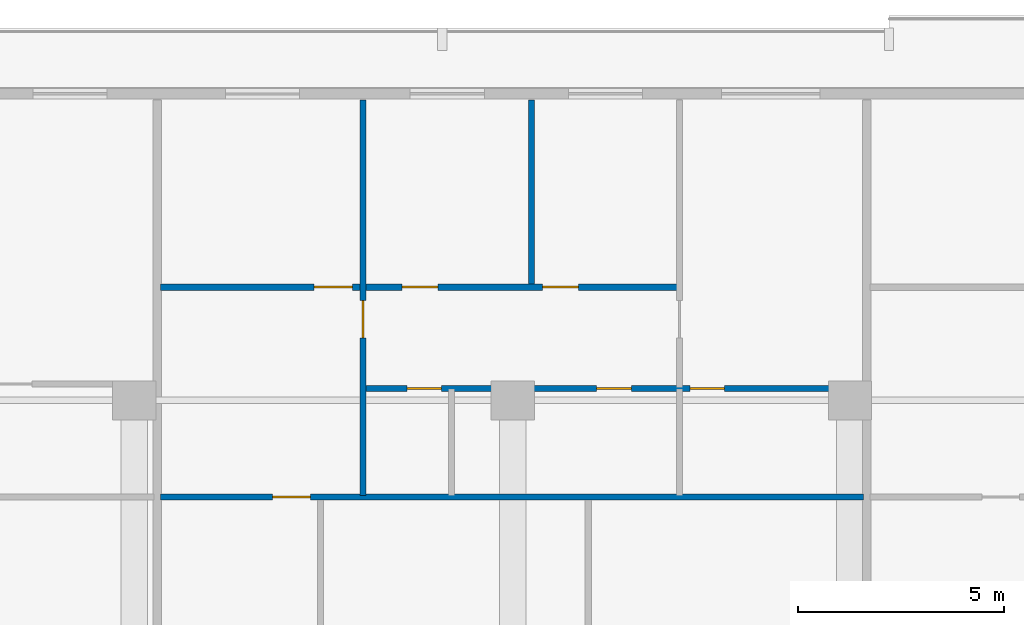
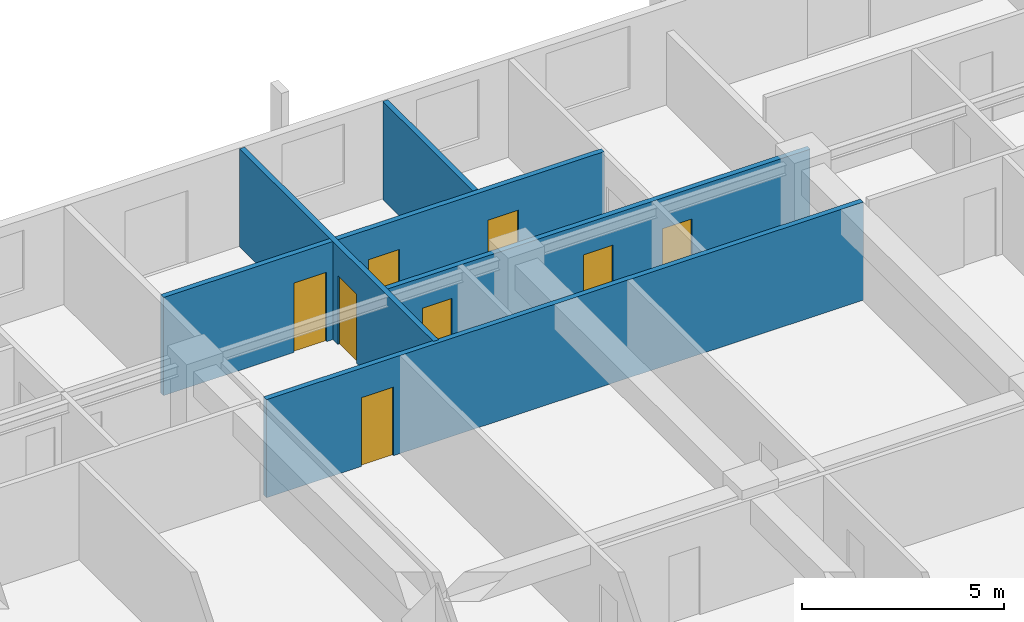
# One storey, part 15 of 23: 8 doors, 5 walls, 8 openings.
"""IFC4 building model written with IfcOpenShell, lengths in metres."""

from ifc_helpers import new_model, si_unit, direction, frame, frame_2d, origin, place, context, subcontext, project, spatial, rectangle, extrude, material, layer, layer_set, type_object, element, fill, save


model = new_model("IFC4")

# Units and contexts
model_context = context("Model", 3, precision=1e-05, world=origin(), true_north=direction((0.0, 1.0)))
body_context = subcontext(model_context, "Body", "Model", "MODEL_VIEW")
ifc_project = project(units=[si_unit("LENGTHUNIT", "METRE"), si_unit("AREAUNIT", "SQUARE_METRE"), si_unit("VOLUMEUNIT", "CUBIC_METRE"), si_unit("PLANEANGLEUNIT", "RADIAN"), si_unit("MASSUNIT", "GRAM", prefix="KILO")], contexts=[model_context])

# Site, building, storey
site_placement = place(None, origin())
site = spatial("IfcSite", under=ifc_project, at=site_placement, CompositionType="ELEMENT")
building_placement = place(site_placement, origin())
building = spatial("IfcBuilding", under=site, at=building_placement, Name="Korimba Cascade Residences", CompositionType="ELEMENT")
storey_placement = place(building_placement, frame((0.0, 0.0, 46.75)))
storey = spatial("IfcBuildingStorey", under=building, at=storey_placement, Name="L12", CompositionType="ELEMENT", Elevation=46.75)

# Wall
ifc_material_1 = material(Name="Insulated Acoustic Stud Partition", Category="gypsum")
ifc_layer = layer(ifc_material_1, 0.14990234375)
ifc_layer_set = layer_set([ifc_layer], Name="Insulated Acoustic Stud Partition")
wall_type = type_object("IfcWallType", Name="WAL-PART-150", PredefinedType="PARTITIONING", material=ifc_layer_set)
wall_1_placement = place(storey_placement, frame((112.555908203125, 94.030029296875, 0.0), z_axis=(0.0, 0.0, 1.0), x_axis=(0.0, 1.0, 0.0)))
element("IfcWall", 1, at=wall_1_placement, inside=storey, type_object=wall_type, Name="L12 Partition Wall WAL-L12-T1-U04-VSTD", PredefinedType="PARTITIONING", context=body_context, shape_type="SweptSolid", body=[
    extrude(rectangle(XDim=4.469970703125, YDim=0.14990234375, at=frame_2d((2.23486328125, 0.0))), origin(), (0.0, 0.0, 1.0), 2.969970703125),
])

# Wall, opening, door
wall_2_placement = place(storey_placement, frame((108.45751953125, 88.889892578125, 0.0), z_axis=(0.0, 0.0, 1.0), x_axis=(0.0, 1.0, 0.0)))
wall_2 = element("IfcWall", 2, at=wall_2_placement, inside=storey, type_object=wall_type, Name="L12 Partition Wall WAL-L12-T1-U04-V1", PredefinedType="PARTITIONING", context=body_context, shape_type="SweptSolid", body=[
    extrude(rectangle(XDim=9.610107421875, YDim=0.14990234375, at=frame_2d((4.80517578125, 0.0))), origin(), (0.0, 0.0, 1.0), 2.969970703125),
])
opening_1_placement = place(wall_2_placement, frame((3.820068359375, 0.0, 0.0)))
opening_1 = element("IfcOpeningElement", 3, at=opening_1_placement, cuts=wall_2, Name="Opening D-IN1", PredefinedType="OPENING", context=body_context, shape_type="SweptSolid", body=[
    extrude(rectangle(XDim=0.919921875, YDim=2.080078125, at=frame_2d((0.4599609375, 1.0400390625))), frame((0.0, 0.0849609375, 0.0), z_axis=(0.0, -1.0, 0.0), x_axis=(1.0, 0.0, 0.0)), (0.0, 0.0, 1.0), 0.169921875),
])
ifc_material_2 = material(Name="Acoustic Timber Living Door", Category="wood")
door_type_1 = type_object("IfcDoorType", Name="DR-INT-920", OperationType="NOTDEFINED", PredefinedType="DOOR", material=ifc_material_2)
door_1_placement = place(opening_1_placement, origin())
door_1 = element("IfcDoor", 4, at=door_1_placement, inside=storey, type_object=door_type_1, Name="L12-T1-U04 Hallway Door", OperationType="SINGLE_SWING_LEFT", OverallHeight=2.080078125, OverallWidth=0.919921875, PredefinedType="DOOR", context=body_context, shape_type="SweptSolid", body=[
    extrude(rectangle(XDim=0.919921875, YDim=2.080078125, at=frame_2d((0.4599609375, 1.0400390625))), frame((0.0, 0.02490234375, 0.0), z_axis=(0.0, -1.0, 0.0), x_axis=(1.0, 0.0, 0.0)), (0.0, 0.0, 1.0), 0.050048828125),
])
fill(opening_1, door_1)

# Wall, openings, doors
wall_3_placement = place(storey_placement, frame((108.49755859375, 91.489990234375, 0.0), z_axis=(0.0, 0.0, 1.0), x_axis=(1.0, 0.0, 0.0)))
wall_3 = element("IfcWall", 5, at=wall_3_placement, inside=storey, type_object=wall_type, Name="L12 Partition Wall WAL-L12-T1-U04-HWALL", PredefinedType="PARTITIONING", context=body_context, shape_type="SweptSolid", body=[
    extrude(rectangle(XDim=12.126953125, YDim=0.14990234375, at=frame_2d((6.0634765625, 0.0))), origin(), (0.0, 0.0, 1.0), 2.969970703125),
])
opening_2_placement = place(wall_3_placement, frame((1.033935546875, 0.0, 0.0)))
opening_2 = element("IfcOpeningElement", 6, at=opening_2_placement, cuts=wall_3, Name="Opening D-BT1", PredefinedType="OPENING", context=body_context, shape_type="SweptSolid", body=[
    extrude(rectangle(XDim=0.840087890625, YDim=2.0400390625, at=frame_2d((0.419921875, 1.02001953125))), frame((0.0, 0.0849609375, 0.0), z_axis=(0.0, -1.0, 0.0), x_axis=(1.0, 0.0, 0.0)), (0.0, 0.0, 1.0), 0.169921875),
])
opening_3_placement = place(wall_3_placement, frame((5.6435546875, 0.0, 0.0)))
opening_3 = element("IfcOpeningElement", 7, at=opening_3_placement, cuts=wall_3, Name="Opening D-BT1", PredefinedType="OPENING", context=body_context, shape_type="SweptSolid", body=[
    extrude(rectangle(XDim=0.840087890625, YDim=2.0400390625, at=frame_2d((0.419921875, 1.02001953125))), frame((0.0, 0.0849609375, 0.0), z_axis=(0.0, -1.0, 0.0), x_axis=(1.0, 0.0, 0.0)), (0.0, 0.0, 1.0), 0.169921875),
])
opening_4_placement = place(wall_3_placement, frame((7.906982421875, 0.0, 0.0)))
opening_4 = element("IfcOpeningElement", 8, at=opening_4_placement, cuts=wall_3, Name="Opening D-BT1", PredefinedType="OPENING", context=body_context, shape_type="SweptSolid", body=[
    extrude(rectangle(XDim=0.840087890625, YDim=2.0400390625, at=frame_2d((0.419921875, 1.02001953125))), frame((0.0, 0.0849609375, 0.0), z_axis=(0.0, -1.0, 0.0), x_axis=(1.0, 0.0, 0.0)), (0.0, 0.0, 1.0), 0.169921875),
])
ifc_material_3 = material(Name="Moisture-Resistant Bathroom Timber Door", Category="wood")
door_type_2 = type_object("IfcDoorType", Name="DR-INT-850", OperationType="NOTDEFINED", PredefinedType="DOOR", material=ifc_material_3)
door_2_placement = place(opening_2_placement, origin())
door_2 = element("IfcDoor", 9, at=door_2_placement, inside=storey, type_object=door_type_2, Name="L12-T1-U04 Family Bathroom Door", OperationType="SINGLE_SWING_LEFT", OverallHeight=2.0400390625, OverallWidth=0.840087890625, PredefinedType="DOOR", context=body_context, shape_type="SweptSolid", body=[
    extrude(rectangle(XDim=0.840087890625, YDim=2.0400390625, at=frame_2d((0.419921875, 1.02001953125))), frame((0.0, 0.02490234375, 0.0), z_axis=(0.0, -1.0, 0.0), x_axis=(1.0, 0.0, 0.0)), (0.0, 0.0, 1.0), 0.050048828125),
])
fill(opening_2, door_2)
door_3_placement = place(opening_3_placement, origin())
door_3 = element("IfcDoor", 10, at=door_3_placement, inside=storey, type_object=door_type_2, Name="L12-T1-U04 Dressing Room Door", OperationType="SINGLE_SWING_RIGHT", OverallHeight=2.0400390625, OverallWidth=0.840087890625, PredefinedType="DOOR", context=body_context, shape_type="SweptSolid", body=[
    extrude(rectangle(XDim=0.840087890625, YDim=2.0400390625, at=frame_2d((0.419921875, 1.02001953125))), frame((0.0, 0.02490234375, 0.0), z_axis=(0.0, -1.0, 0.0), x_axis=(1.0, 0.0, 0.0)), (0.0, 0.0, 1.0), 0.050048828125),
])
fill(opening_3, door_3)
door_4_placement = place(opening_4_placement, origin())
door_4 = element("IfcDoor", 11, at=door_4_placement, inside=storey, type_object=door_type_2, Name="L12-T1-U04 En-Suite Door", OperationType="SINGLE_SWING_LEFT", OverallHeight=2.0400390625, OverallWidth=0.840087890625, PredefinedType="DOOR", context=body_context, shape_type="SweptSolid", body=[
    extrude(rectangle(XDim=0.840087890625, YDim=2.0400390625, at=frame_2d((0.419921875, 1.02001953125))), frame((0.0, 0.02490234375, 0.0), z_axis=(0.0, -1.0, 0.0), x_axis=(1.0, 0.0, 0.0)), (0.0, 0.0, 1.0), 0.050048828125),
])
fill(opening_4, door_4)

# Wall, opening, door
wall_4_placement = place(storey_placement, frame((103.53759765625, 88.85009765625, 0.0), z_axis=(0.0, 0.0, 1.0), x_axis=(1.0, 0.0, 0.0)))
wall_4 = element("IfcWall", 12, at=wall_4_placement, inside=storey, type_object=wall_type, Name="L12 Partition Wall WAL-L12-T1-U04-MW", PredefinedType="PARTITIONING", context=body_context, shape_type="SweptSolid", body=[
    extrude(rectangle(XDim=17.0869140625, YDim=0.14990234375, at=frame_2d((8.54345703125, 0.0))), origin(), (0.0, 0.0, 1.0), 2.969970703125),
])
opening_5_placement = place(wall_4_placement, frame((2.719970703125, 0.0, 0.0)))
opening_5 = element("IfcOpeningElement", 13, at=opening_5_placement, cuts=wall_4, Name="Opening D-IN1", PredefinedType="OPENING", context=body_context, shape_type="SweptSolid", body=[
    extrude(rectangle(XDim=0.919921875, YDim=2.080078125, at=frame_2d((0.4599609375, 1.0400390625))), frame((0.0, 0.0849609375, 0.0), z_axis=(0.0, -1.0, 0.0), x_axis=(1.0, 0.0, 0.0)), (0.0, 0.0, 1.0), 0.169921875),
])
door_5_placement = place(opening_5_placement, origin())
door_5 = element("IfcDoor", 14, at=door_5_placement, inside=storey, type_object=door_type_1, Name="L12-T1-U04 Kitchen Door", OperationType="SINGLE_SWING_RIGHT", OverallHeight=2.080078125, OverallWidth=0.919921875, PredefinedType="DOOR", context=body_context, shape_type="SweptSolid", body=[
    extrude(rectangle(XDim=0.919921875, YDim=2.080078125, at=frame_2d((0.4599609375, 1.0400390625))), frame((0.0, 0.02490234375, 0.0), z_axis=(0.0, -1.0, 0.0), x_axis=(1.0, 0.0, 0.0)), (0.0, 0.0, 1.0), 0.050048828125),
])
fill(opening_5, door_5)

# Wall, openings, doors
wall_5_placement = place(storey_placement, frame((103.53759765625, 93.949951171875, 0.0), z_axis=(0.0, 0.0, 1.0), x_axis=(1.0, 0.0, 0.0)))
wall_5 = element("IfcWall", 15, at=wall_5_placement, inside=storey, type_object=wall_type, Name="L12 Partition Wall WAL-L12-T1-U04-HZ", PredefinedType="PARTITIONING", context=body_context, shape_type="SweptSolid", body=[
    extrude(rectangle(XDim=12.616943359375, YDim=0.14990234375, at=frame_2d((6.30859375, 0.0))), origin(), (0.0, 0.0, 1.0), 2.969970703125),
])
opening_6_placement = place(wall_5_placement, frame((3.72998046875, 0.0, 0.0)))
opening_6 = element("IfcOpeningElement", 16, at=opening_6_placement, cuts=wall_5, Name="Opening D-IN0", PredefinedType="OPENING", context=body_context, shape_type="SweptSolid", body=[
    extrude(rectangle(XDim=0.93994140625, YDim=2.10009765625, at=frame_2d((0.469970703125, 1.050048828125))), frame((0.0, 0.0849609375, 0.0), z_axis=(0.0, -1.0, 0.0), x_axis=(1.0, 0.0, 0.0)), (0.0, 0.0, 1.0), 0.169921875),
])
opening_7_placement = place(wall_5_placement, frame((5.86865234375, 0.0, 0.0)))
opening_7 = element("IfcOpeningElement", 17, at=opening_7_placement, cuts=wall_5, Name="Opening D-IN2", PredefinedType="OPENING", context=body_context, shape_type="SweptSolid", body=[
    extrude(rectangle(XDim=0.8798828125, YDim=2.06005859375, at=frame_2d((0.43994140625, 1.030029296875))), frame((0.0, 0.0849609375, 0.0), z_axis=(0.0, -1.0, 0.0), x_axis=(1.0, 0.0, 0.0)), (0.0, 0.0, 1.0), 0.169921875),
])
opening_8_placement = place(wall_5_placement, frame((9.2841796875, 0.0, 0.0)))
opening_8 = element("IfcOpeningElement", 18, at=opening_8_placement, cuts=wall_5, Name="Opening D-IN2", PredefinedType="OPENING", context=body_context, shape_type="SweptSolid", body=[
    extrude(rectangle(XDim=0.8798828125, YDim=2.06005859375, at=frame_2d((0.43994140625, 1.030029296875))), frame((0.0, 0.0849609375, 0.0), z_axis=(0.0, -1.0, 0.0), x_axis=(1.0, 0.0, 0.0)), (0.0, 0.0, 1.0), 0.169921875),
])
ifc_material_4 = material(Name="Acoustic Timber Bedroom Door", Category="wood")
door_type_3 = type_object("IfcDoorType", Name="DR-INT-880", OperationType="NOTDEFINED", PredefinedType="DOOR", material=ifc_material_4)
door_6_placement = place(opening_7_placement, origin())
door_6 = element("IfcDoor", 19, at=door_6_placement, inside=storey, type_object=door_type_3, Name="L12-T1-U04 Bedroom 2 Door", OperationType="SINGLE_SWING_RIGHT", OverallHeight=2.06005859375, OverallWidth=0.8798828125, PredefinedType="DOOR", context=body_context, shape_type="SweptSolid", body=[
    extrude(rectangle(XDim=0.8798828125, YDim=2.06005859375, at=frame_2d((0.43994140625, 1.030029296875))), frame((0.0, 0.02490234375, 0.0), z_axis=(0.0, -1.0, 0.0), x_axis=(1.0, 0.0, 0.0)), (0.0, 0.0, 1.0), 0.050048828125),
])
fill(opening_7, door_6)
door_7_placement = place(opening_8_placement, origin())
door_7 = element("IfcDoor", 20, at=door_7_placement, inside=storey, type_object=door_type_3, Name="L12-T1-U04 Study Door", OperationType="SINGLE_SWING_LEFT", OverallHeight=2.06005859375, OverallWidth=0.8798828125, PredefinedType="DOOR", context=body_context, shape_type="SweptSolid", body=[
    extrude(rectangle(XDim=0.8798828125, YDim=2.06005859375, at=frame_2d((0.43994140625, 1.030029296875))), frame((0.0, 0.02490234375, 0.0), z_axis=(0.0, -1.0, 0.0), x_axis=(1.0, 0.0, 0.0)), (0.0, 0.0, 1.0), 0.050048828125),
])
fill(opening_8, door_7)
ifc_material_5 = material(Name="Acoustic Timber Living Archway Door", Category="wood")
door_type_4 = type_object("IfcDoorType", Name="DR-INT-950", OperationType="NOTDEFINED", PredefinedType="DOOR", material=ifc_material_5)
door_8_placement = place(opening_6_placement, origin())
door_8 = element("IfcDoor", 21, at=door_8_placement, inside=storey, type_object=door_type_4, Name="L12-T1-U04 Living Room Door", OperationType="SINGLE_SWING_LEFT", OverallHeight=2.10009765625, OverallWidth=0.93994140625, PredefinedType="DOOR", context=body_context, shape_type="SweptSolid", body=[
    extrude(rectangle(XDim=0.93994140625, YDim=2.10009765625, at=frame_2d((0.469970703125, 1.050048828125))), frame((0.0, 0.02490234375, 0.0), z_axis=(0.0, -1.0, 0.0), x_axis=(1.0, 0.0, 0.0)), (0.0, 0.0, 1.0), 0.050048828125),
])
fill(opening_6, door_8)

save(model, "model.ifc")
